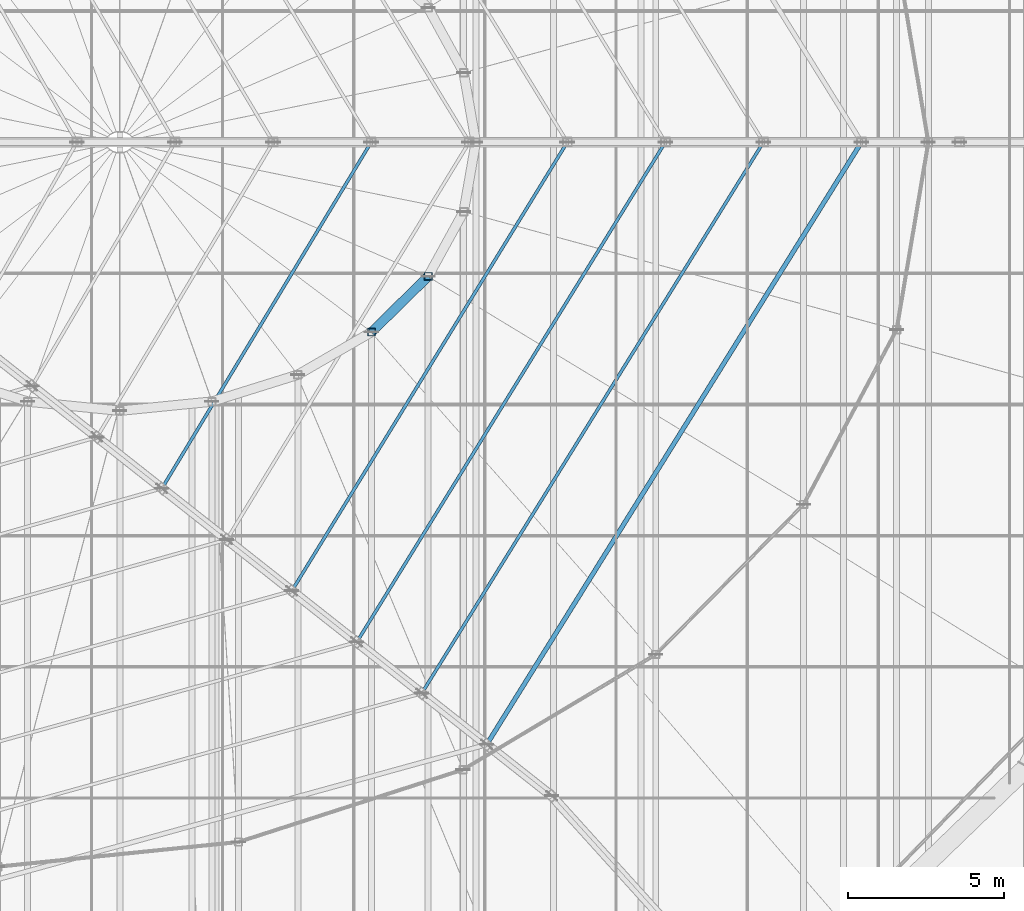
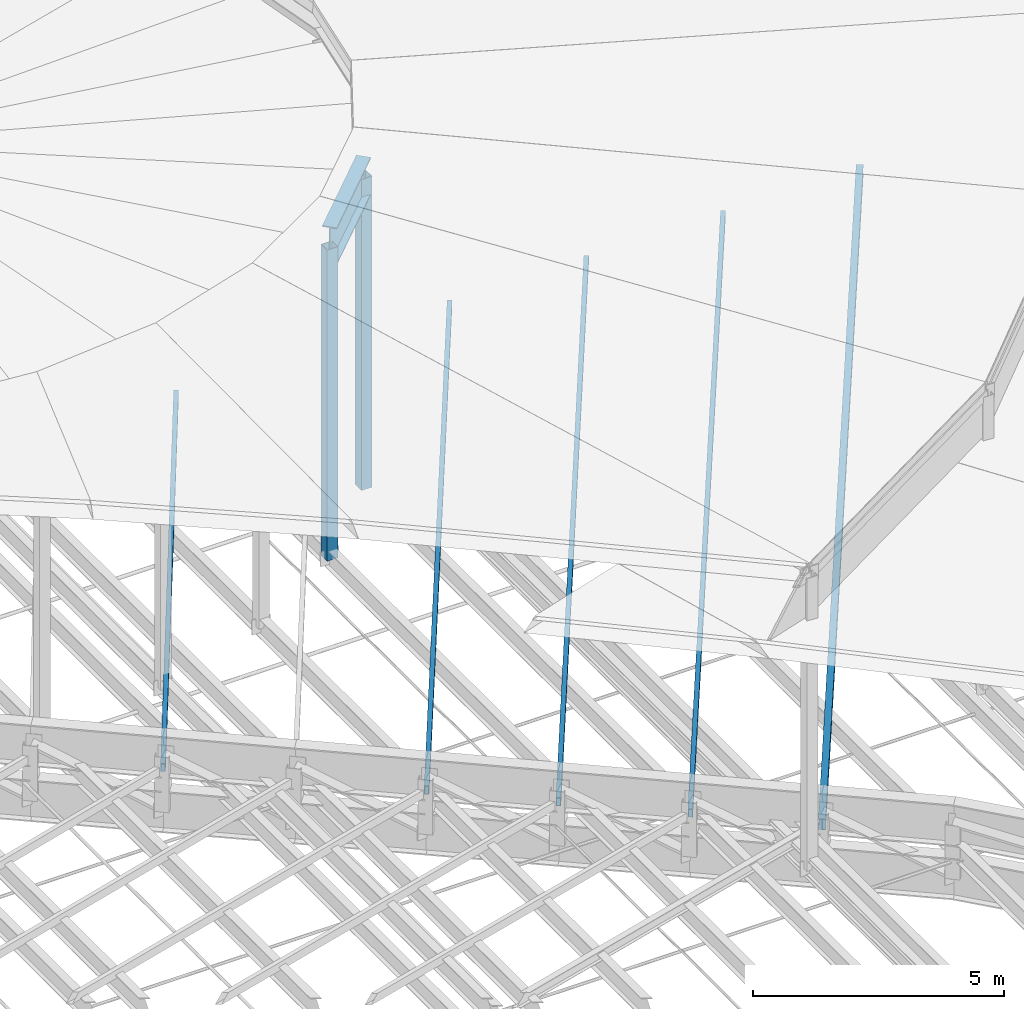
# One storey, part 75 of 184: 7 members, 1 beam.
"""IFC4 building model written with IfcOpenShell, lengths in metres."""

from ifc_helpers import new_model, si_unit, direction, frame, origin, origin_2d, place, context, subcontext, project, spatial, hollow_rectangle, i_section, extrude, material, material_profile, profile_set, type_object, element, save


model = new_model("IFC4")

# Units and contexts
model_context = context("Model", 3, precision=1e-05, world=origin(), true_north=direction((0.0, 1.0)))
body_context = subcontext(model_context, "Body", "Model", "MODEL_VIEW")
ifc_project = project(units=[si_unit("LENGTHUNIT", "METRE"), si_unit("AREAUNIT", "SQUARE_METRE"), si_unit("VOLUMEUNIT", "CUBIC_METRE"), si_unit("PLANEANGLEUNIT", "RADIAN"), si_unit("MASSUNIT", "GRAM", prefix="KILO")], contexts=[model_context])

# Site, building, storey
site_placement = place(None, origin())
site = spatial("IfcSite", under=ifc_project, at=site_placement, CompositionType="ELEMENT")
building_placement = place(site_placement, origin())
building = spatial("IfcBuilding", under=site, at=building_placement, Name="Kalgoora Escarpment Arena", CompositionType="ELEMENT")
storey_placement = place(building_placement, frame((0.0, 0.0, 27.60009765625)))
storey = spatial("IfcBuildingStorey", under=building, at=storey_placement, Name="Roof Level", CompositionType="ELEMENT", Elevation=27.60009765625)

# Beam
ifc_material_1 = material(Name="Structural steel Grade 350 (350 MPa)", Category="steel")
ifc_material_profile_1 = material_profile(ifc_material_1, i_section(OverallWidth=0.300048828125, OverallDepth=0.909912109375, WebThickness=0.011962890625, FlangeThickness=0.028076171875, at=origin_2d()))
ifc_profile_set_1 = profile_set([ifc_material_profile_1], Name="Structural steel Grade 350 (350 MPa)")
beam_type = type_object("IfcBeamType", Name="BM-HUB-RING", PredefinedType="USERDEFINED", material=ifc_profile_set_1)
beam_placement = place(storey_placement, frame((118.1708984375, 57.9189453125, 6.64990234375), z_axis=(0.71313496733, 0.701026760096, 0.0), x_axis=(-0.701026760096, 0.71313496733, 0.0)))
element("IfcBeam", 1, at=beam_placement, inside=storey, type_object=beam_type, Name="Crown oculus tension RING BEAM chord 22", ObjectType="GIRDER", PredefinedType="USERDEFINED", context=body_context, shape_type="SweptSolid", body=[
    extrude(i_section(OverallWidth=0.300048828125, OverallDepth=0.909912109375, WebThickness=0.011962890625, FlangeThickness=0.028076171875, at=origin_2d()), origin(), (0.0, 0.0, 1.0), 2.54052734375),
])

# Members
ifc_material_2 = material(Name="Structural steel C450 (450 MPa)", Category="steel")
ifc_material_profile_2 = material_profile(ifc_material_2, hollow_rectangle(XDim=0.25, YDim=0.25, WallThickness=0.012451171875, at=origin_2d()))
ifc_profile_set_2 = profile_set([ifc_material_profile_2], Name="Structural steel C450 (450 MPa)")
member_type_1 = type_object("IfcMemberType", Name="MEM-PETAL-POST", PredefinedType="POST", material=ifc_profile_set_2)
for number, where, z_axis, x_axis, name in (
    (2, (118.1708984375, 57.9189453125, -0.900146484375), (0.0, 0.0, 1.0), (1.0, 0.0, 0.0), "Crown dome vertical post 22"),
    (3, (119.982666015625, 59.699951171875, -0.900146484375), (0.0, 0.0, 1.0), (1.0, 0.0, 0.0), "Crown dome vertical post 23"),
):
    element("IfcMember", number, at=place(storey_placement, frame(where, z_axis=z_axis, x_axis=x_axis)), inside=storey, type_object=member_type_1, Name=name, PredefinedType="POST", context=body_context, shape_type="SweptSolid", body=[
        extrude(hollow_rectangle(XDim=0.25, YDim=0.25, WallThickness=0.012451171875, at=origin_2d()), origin(), (0.0, 0.0, 1.0), 7.550048828125),
    ])
ifc_material_3 = material(Name="Structural steel C350 (350 MPa)", Category="steel")
ifc_material_profile_3 = material_profile(ifc_material_3, hollow_rectangle(XDim=0.10009765625, YDim=0.199951171875, WallThickness=0.009033203125, at=origin_2d()))
ifc_profile_set_3 = profile_set([ifc_material_profile_3], Name="Structural steel C350 (350 MPa)")
member_type_2 = type_object("IfcMemberType", Name="MEM-PURLIN-RHS", PredefinedType="PURLIN", material=ifc_profile_set_3)
member_1_placement = place(storey_placement, frame((119.777587890625, 46.3505859375, -0.68017578125), z_axis=(0.526930836946, 0.849908167437, 0.0), x_axis=(-0.849908167437, 0.526930836946, 0.0)))
element("IfcMember", 4, at=member_1_placement, inside=storey, type_object=member_type_2, Name="Roof circumferential purlin ring 3 sector 8", PredefinedType="PURLIN", context=body_context, shape_type="SweptSolid", body=[
    extrude(hollow_rectangle(XDim=0.10009765625, YDim=0.199951171875, WallThickness=0.009033203125, at=origin_2d()), origin(), (0.0, 0.0, 1.0), 20.766357421875),
])
member_2_placement = place(storey_placement, frame((117.69775390625, 47.9912109375, -0.670166015625), z_axis=(0.525282892516, 0.850927660163, 0.0), x_axis=(-0.850927660163, 0.525282892516, 0.0)))
element("IfcMember", 5, at=member_2_placement, inside=storey, type_object=member_type_2, Name="Roof circumferential purlin ring 4 sector 8", PredefinedType="PURLIN", context=body_context, shape_type="SweptSolid", body=[
    extrude(hollow_rectangle(XDim=0.10009765625, YDim=0.199951171875, WallThickness=0.009033203125, at=origin_2d()), origin(), (0.0, 0.0, 1.0), 18.813232421875),
])
member_3_placement = place(storey_placement, frame((115.6181640625, 49.631591796875, -0.66015625), z_axis=(0.523223000565, 0.852195805951, 0.0), x_axis=(-0.852195805951, 0.523223000565, 0.0)))
element("IfcMember", 6, at=member_3_placement, inside=storey, type_object=member_type_2, Name="Roof circumferential purlin ring 5 sector 8", PredefinedType="PURLIN", context=body_context, shape_type="SweptSolid", body=[
    extrude(hollow_rectangle(XDim=0.10009765625, YDim=0.199951171875, WallThickness=0.009033203125, at=origin_2d()), origin(), (0.0, 0.0, 1.0), 16.8603515625),
])
member_4_placement = place(storey_placement, frame((111.45849609375, 52.91259765625, -0.64013671875), z_axis=(0.517272669757, 0.855820650091, 0.0), x_axis=(-0.855820650091, 0.517272669757, 0.0)))
element("IfcMember", 7, at=member_4_placement, inside=storey, type_object=member_type_2, Name="Roof circumferential purlin ring 7 sector 8", PredefinedType="PURLIN", context=body_context, shape_type="SweptSolid", body=[
    extrude(hollow_rectangle(XDim=0.10009765625, YDim=0.199951171875, WallThickness=0.009033203125, at=origin_2d()), origin(), (0.0, 0.0, 1.0), 12.955322265625),
])
ifc_material_4 = material(Name="Structural steel AS/NZS 3679 (300 MPa)", Category="steel")
ifc_material_profile_4 = material_profile(ifc_material_4, i_section(OverallWidth=0.14599609375, OverallDepth=0.256103515625, WebThickness=0.00634765625, FlangeThickness=0.010986328125, at=origin_2d()))
ifc_profile_set_4 = profile_set([ifc_material_profile_4], Name="Structural steel AS/NZS 3679 (300 MPa)")
member_type_3 = type_object("IfcMemberType", Name="MEM-PURLIN-UB", PredefinedType="PURLIN", material=ifc_profile_set_4)
member_5_placement = place(storey_placement, frame((121.857421875, 44.710205078125, -0.690185546875), z_axis=(0.528306534849, 0.849053711632, 0.0), x_axis=(-0.849053711632, 0.528306534849, 0.0)))
element("IfcMember", 8, at=member_5_placement, inside=storey, type_object=member_type_3, Name="Roof circumferential purlin ring 2 sector 8", PredefinedType="PURLIN", context=body_context, shape_type="SweptSolid", body=[
    extrude(i_section(OverallWidth=0.14599609375, OverallDepth=0.256103515625, WebThickness=0.00634765625, FlangeThickness=0.010986328125, at=origin_2d()), origin(), (0.0, 0.0, 1.0), 22.71923828125),
])

save(model, "model.ifc")
